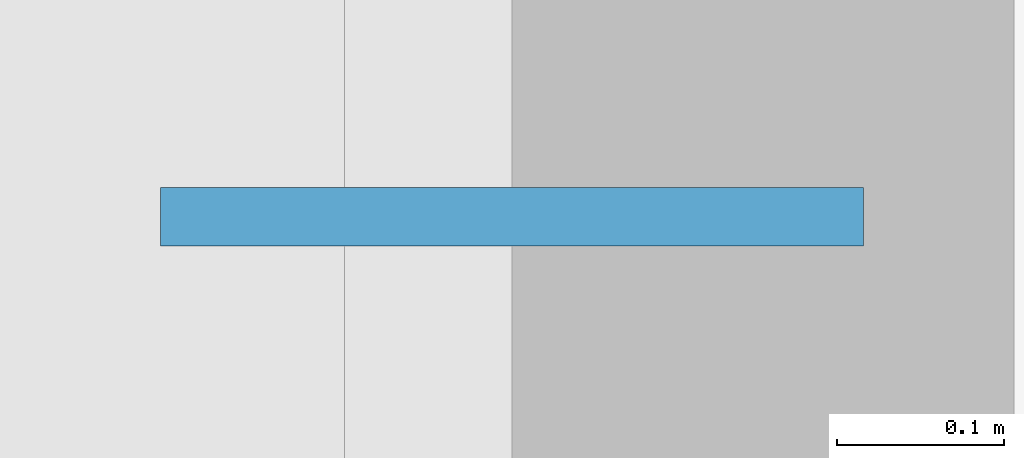
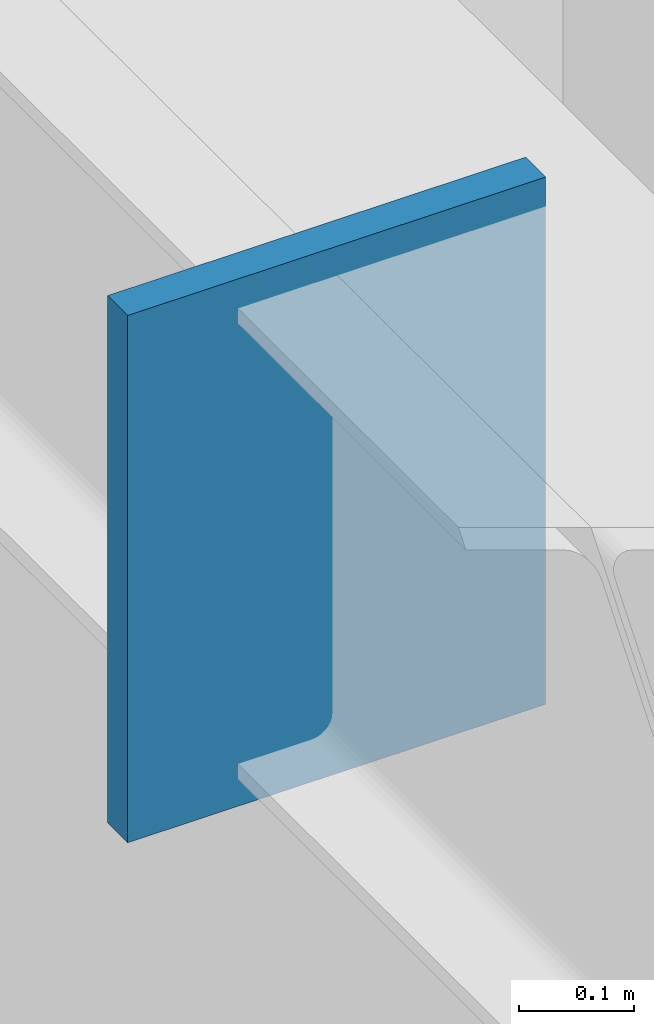
# One storey, part 39 of 49: 1 plate.
"""IFC4 building model written with IfcOpenShell, lengths in metres."""

from ifc_helpers import new_model, si_unit, direction, frame, origin, origin_2d, place, context, subcontext, project, spatial, rectangle, extrude, material, layer, layer_set, type_object, element, save


model = new_model("IFC4")

# Units and contexts
model_context = context("Model", 3, precision=1e-05, world=origin(), true_north=direction((0.0, 1.0)))
body_context = subcontext(model_context, "Body", "Model", "MODEL_VIEW")
ifc_project = project(units=[si_unit("LENGTHUNIT", "METRE"), si_unit("AREAUNIT", "SQUARE_METRE"), si_unit("VOLUMEUNIT", "CUBIC_METRE"), si_unit("PLANEANGLEUNIT", "RADIAN"), si_unit("MASSUNIT", "GRAM", prefix="KILO")], contexts=[model_context])

# Site, building, storey
site_placement = place(None, origin())
site = spatial("IfcSite", under=ifc_project, at=site_placement, CompositionType="ELEMENT")
building_placement = place(site_placement, origin())
building = spatial("IfcBuilding", under=site, at=building_placement, Name="Sundkrona Museum", CompositionType="ELEMENT")
storey_placement = place(building_placement, frame((0.0, 0.0, 26.0)))
storey = spatial("IfcBuildingStorey", under=building, at=storey_placement, Name="L05", CompositionType="ELEMENT", Elevation=26.0)

# Plate
ifc_material = material(Name="Steel S355J2", Category="steel")
ifc_layer = layer(ifc_material, 0.034912109375)
ifc_layer_set = layer_set([ifc_layer], Name="Steel S355J2")
plate_type = type_object("IfcPlateType", Name="EP-1", PredefinedType="USERDEFINED", material=ifc_layer_set)
plate_placement = place(storey_placement, frame((120.0, 8.0, 7.469970703125), z_axis=(0.0, 0.0, 1.0), x_axis=(1.0, 0.0, 0.0)))
element("IfcPlate", 1, at=plate_placement, inside=storey, type_object=plate_type, Name="Core Wall Cast-In Embed Plate BM-L05-Y-1786-2", ObjectType="GUSSET PLATE", PredefinedType="USERDEFINED", context=body_context, shape_type="SweptSolid", body=[
    extrude(rectangle(XDim=0.419921875, YDim=0.034912109375, at=origin_2d()), origin(), (0.0, 0.0, 1.0), 0.56005859375),
])

save(model, "model.ifc")
